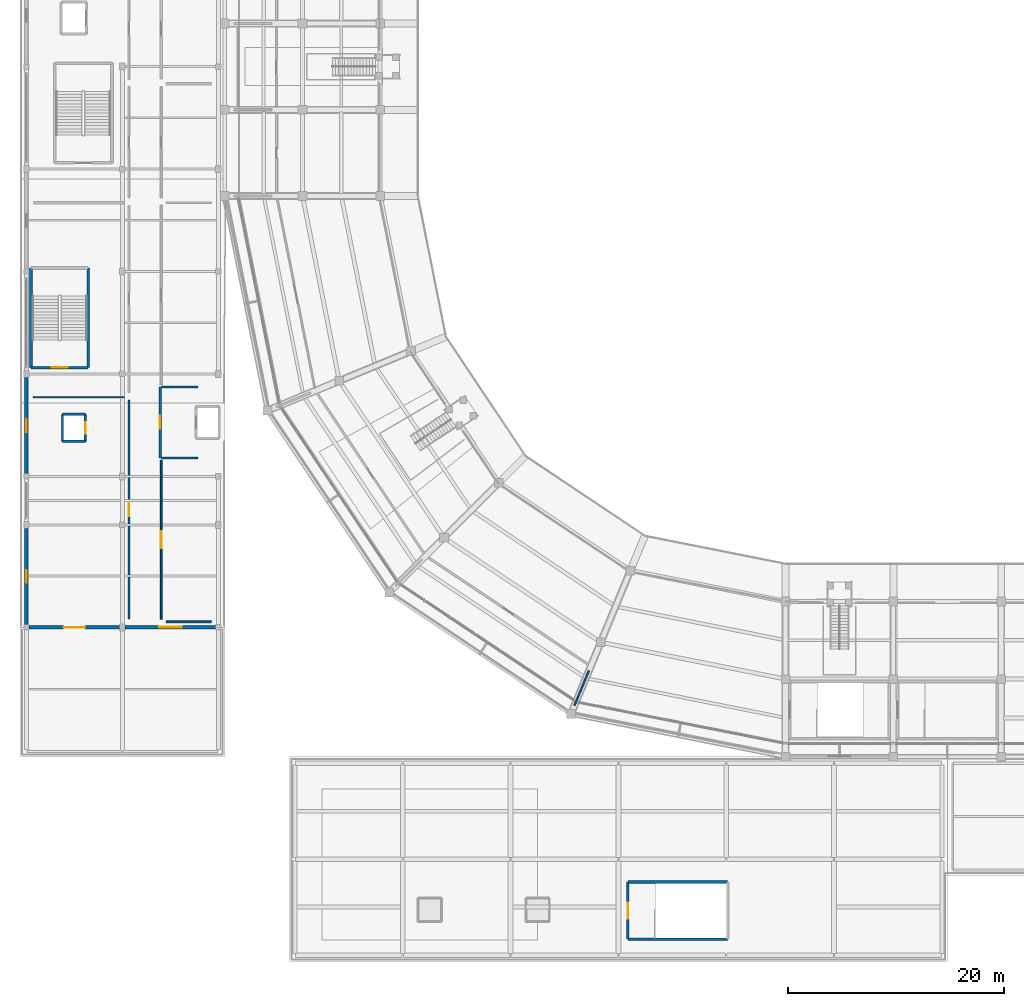
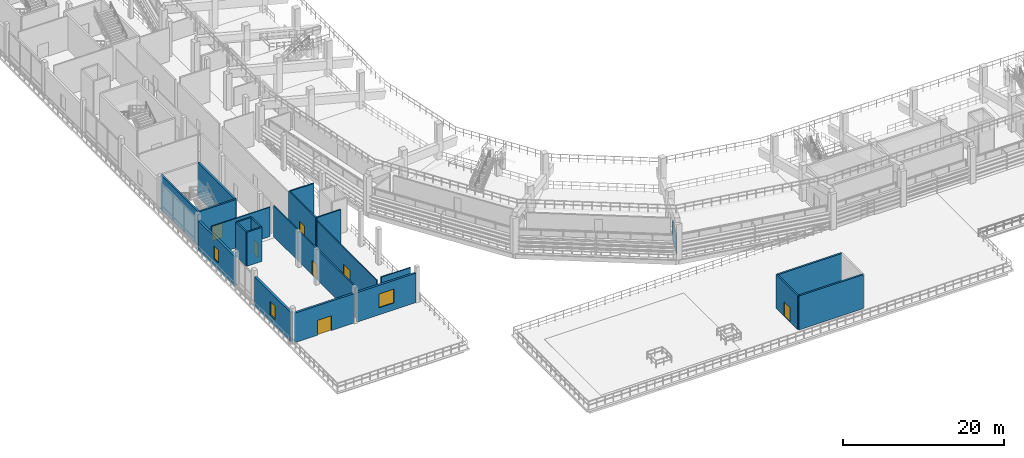
# One storey, part 59 of 96: 22 walls, 7 doors, 3 windows, 10 openings.
"""IFC4 building model written with IfcOpenShell, lengths in metres."""

from ifc_helpers import new_model, si_unit, direction, frame, frame_2d, origin, place, context, subcontext, project, spatial, rectangle, extrude, material, layer, layer_set, type_object, element, fill, save


model = new_model("IFC4")

# Units and contexts
model_context = context("Model", 3, precision=1e-05, world=origin(), true_north=direction((0.0, 1.0)))
body_context = subcontext(model_context, "Body", "Model", "MODEL_VIEW")
ifc_project = project(units=[si_unit("LENGTHUNIT", "METRE"), si_unit("AREAUNIT", "SQUARE_METRE"), si_unit("VOLUMEUNIT", "CUBIC_METRE"), si_unit("PLANEANGLEUNIT", "RADIAN"), si_unit("MASSUNIT", "GRAM", prefix="KILO")], contexts=[model_context])

# Site, building, storey
site_placement = place(None, origin())
site = spatial("IfcSite", under=ifc_project, at=site_placement, CompositionType="ELEMENT")
building_placement = place(site_placement, origin())
building = spatial("IfcBuilding", under=site, at=building_placement, Name="Candeia Ridge Stadium", CompositionType="ELEMENT")
storey_placement = place(building_placement, frame((0.0, 0.0, 21.60009765625)))
storey = spatial("IfcBuildingStorey", under=building, at=storey_placement, Name="L04", CompositionType="ELEMENT", Elevation=21.60009765625)

# Wall, opening, door
ifc_material_1 = material(Name="Concrete Masonry Blockwork C25/30", Category="masonry")
ifc_layer_1 = layer(ifc_material_1, 0.14990234375, Name="Concrete Masonry Blockwork C25/30", Category="masonry")
ifc_layer_set_1 = layer_set([ifc_layer_1], Name="Concrete Masonry Blockwork C25/30")
wall_type_1 = type_object("IfcWallType", Name="Concourse Kiosk Partition 150", PredefinedType="PARTITIONING", material=ifc_layer_set_1)
wall_1_placement = place(storey_placement, frame((13.10009765625, 31.75, 0.0), z_axis=(0.0, 0.0, 1.0), x_axis=(0.0, 1.0, 0.0)))
wall_1 = element("IfcWall", 1, at=wall_1_placement, inside=storey, type_object=wall_type_1, Name="Interior partition PT-L04-0625", PredefinedType="PARTITIONING", context=body_context, shape_type="SweptSolid", body=[
    extrude(rectangle(XDim=14.760009765625, YDim=0.14990234375, at=frame_2d((7.3798828125, 0.0))), origin(), (0.0, 0.0, 1.0), 4.64599609375),
])
opening_1_placement = place(wall_1_placement, frame((6.60498046875, 0.0, 0.0)))
opening_1 = element("IfcOpeningElement", 2, at=opening_1_placement, cuts=wall_1, Name="Opening ID14", PredefinedType="OPENING", context=body_context, shape_type="SweptSolid", body=[
    extrude(rectangle(XDim=1.550048828125, YDim=2.14990234375, at=frame_2d((0.77490234375, 1.074951171875))), frame((0.0, 0.0849609375, 0.0), z_axis=(0.0, -1.0, 0.0), x_axis=(1.0, 0.0, 0.0)), (0.0, 0.0, 1.0), 0.169921875),
])
ifc_material_2 = material(Name="Brushed Stainless Steel", Category="steel")
door_type_1 = type_object("IfcDoorType", Name="Catering Kitchen Double Door 1550x2150", OperationType="NOTDEFINED", PredefinedType="DOOR", material=ifc_material_2)
door_1_placement = place(opening_1_placement, origin())
door_1 = element("IfcDoor", 3, at=door_1_placement, inside=storey, type_object=door_type_1, Name="Interior room door D-L04-0321", OperationType="DOUBLE_DOOR_SINGLE_SWING", OverallHeight=2.14990234375, OverallWidth=1.550048828125, PredefinedType="DOOR", context=body_context, shape_type="SweptSolid", body=[
    extrude(rectangle(XDim=1.550048828125, YDim=2.14990234375, at=frame_2d((0.77490234375, 1.074951171875))), frame((0.0, 0.02490234375, 0.0), z_axis=(0.0, -1.0, 0.0), x_axis=(1.0, 0.0, 0.0)), (0.0, 0.0, 1.0), 0.050048828125),
])
fill(opening_1, door_1)

# Walls
wall_2_placement = place(storey_placement, frame((52.76513671875, 26.977294921875, 0.0), z_axis=(0.0, 0.0, 1.0), x_axis=(-0.382643374349, -0.923896124067, 0.0)))
element("IfcWall", 4, at=wall_2_placement, inside=storey, type_object=wall_type_1, Name="Demising partition PT-L04-0657", PredefinedType="PARTITIONING", context=body_context, shape_type="SweptSolid", body=[
    extrude(rectangle(XDim=3.500244140625, YDim=0.14990234375, at=frame_2d((1.75, 0.0))), origin(), (0.0, 0.0, 1.0), 2.772216796875),
])
ifc_material_3 = material(Name="Concrete C40/50", Category="concrete")
ifc_layer_2 = layer(ifc_material_3, 0.25, Name="Concrete C40/50", Category="concrete")
ifc_layer_set_2 = layer_set([ifc_layer_2], Name="Concrete C40/50")
wall_type_2 = type_object("IfcWallType", Name="Core Shear Wall Concrete 250", PredefinedType="SHEAR", material=ifc_layer_set_2)
for number, where, z_axis, x_axis, name in (
    (5, (6.32470703125, 55.075439453125, 0.0), (0.0, 0.0, 1.0), (0.0, 1.0, 0.0), "Core C05 left shear wall L04"),
    (6, (1.025390625, 64.32470703125, 0.0), (0.0, 0.0, 1.0), (0.0, -1.0, 0.0), "Core C05 right shear wall L04"),
):
    element("IfcWall", number, at=place(storey_placement, frame(where, z_axis=z_axis, x_axis=x_axis)), inside=storey, type_object=wall_type_2, Name=name, PredefinedType="SHEAR", context=body_context, shape_type="SweptSolid", body=[
        extrude(rectangle(XDim=9.249267578125, YDim=0.25, at=frame_2d((4.62451171875, 0.0))), origin(), (0.0, 0.0, 1.0), 5.14990234375),
    ])

# Wall, opening, door
wall_3_placement = place(storey_placement, frame((1.025390625, 55.075439453125, 0.0), z_axis=(0.0, 0.0, 1.0), x_axis=(1.0, 0.0, 0.0)))
wall_3 = element("IfcWall", 7, at=wall_3_placement, inside=storey, type_object=wall_type_2, Name="Core C05 near shear wall L04", PredefinedType="SHEAR", context=body_context, shape_type="SweptSolid", body=[
    extrude(rectangle(XDim=5.29931640625, YDim=0.25, at=frame_2d((2.649658203125, 0.0))), origin(), (0.0, 0.0, 1.0), 5.14990234375),
])
opening_2_placement = place(wall_3_placement, frame((1.899658203125, 0.0, 0.0)))
opening_2 = element("IfcOpeningElement", 8, at=opening_2_placement, cuts=wall_3, Name="Opening FD01", PredefinedType="OPENING", context=body_context, shape_type="SweptSolid", body=[
    extrude(rectangle(XDim=1.5, YDim=2.199951171875, at=frame_2d((0.75, 1.10009765625))), frame((0.0, 0.135009765625, 0.0), z_axis=(0.0, -1.0, 0.0), x_axis=(1.0, 0.0, 0.0)), (0.0, 0.0, 1.0), 0.27001953125),
])
ifc_material_4 = material(Name="Galvanized Fire-Rated Steel", Category="steel")
door_type_2 = type_object("IfcDoorType", Name="Exit Stair Core Fire Door 1500x2200", OperationType="NOTDEFINED", PredefinedType="DOOR", material=ifc_material_4)
door_2_placement = place(opening_2_placement, origin())
door_2 = element("IfcDoor", 9, at=door_2_placement, inside=storey, type_object=door_type_2, Name="Exit stair fire door SD-ST05-L04", OperationType="DOUBLE_DOOR_SINGLE_SWING", OverallHeight=2.199951171875, OverallWidth=1.5, PredefinedType="DOOR", context=body_context, shape_type="SweptSolid", body=[
    extrude(rectangle(XDim=1.5, YDim=2.199951171875, at=frame_2d((0.75, 1.10009765625))), frame((0.0, 0.02490234375, 0.0), z_axis=(0.0, -1.0, 0.0), x_axis=(1.0, 0.0, 0.0)), (0.0, 0.0, 1.0), 0.050048828125),
])
fill(opening_2, door_2)

# Walls
for number, where, z_axis, x_axis, name in (
    (10, (56.37548828125, 2.075439453125, 0.0), (0.0, 0.0, 1.0), (1.0, 0.0, 0.0), "Core C13 left shear wall L04"),
    (11, (65.62451171875, 7.37451171875, 0.0), (0.0, 0.0, 1.0), (-1.0, 0.0, 0.0), "Core C13 right shear wall L04"),
):
    element("IfcWall", number, at=place(storey_placement, frame(where, z_axis=z_axis, x_axis=x_axis)), inside=storey, type_object=wall_type_2, Name=name, PredefinedType="SHEAR", context=body_context, shape_type="SweptSolid", body=[
        extrude(rectangle(XDim=9.2490234375, YDim=0.25, at=frame_2d((4.62451171875, 0.0))), origin(), (0.0, 0.0, 1.0), 5.14990234375),
    ])

# Wall, opening, door
wall_4_placement = place(storey_placement, frame((56.37548828125, 7.37451171875, 0.0), z_axis=(0.0, 0.0, 1.0), x_axis=(0.0, -1.0, 0.0)))
wall_4 = element("IfcWall", 12, at=wall_4_placement, inside=storey, type_object=wall_type_2, Name="Core C13 near shear wall L04", PredefinedType="SHEAR", context=body_context, shape_type="SweptSolid", body=[
    extrude(rectangle(XDim=5.299072265625, YDim=0.25, at=frame_2d((2.6494140625, 0.0))), origin(), (0.0, 0.0, 1.0), 5.14990234375),
])
opening_3_placement = place(wall_4_placement, frame((1.899658203125, 0.0, 0.0)))
opening_3 = element("IfcOpeningElement", 13, at=opening_3_placement, cuts=wall_4, Name="Opening FD01", PredefinedType="OPENING", context=body_context, shape_type="SweptSolid", body=[
    extrude(rectangle(XDim=1.5, YDim=2.199951171875, at=frame_2d((0.75, 1.10009765625))), frame((0.0, 0.135009765625, 0.0), z_axis=(0.0, -1.0, 0.0), x_axis=(1.0, 0.0, 0.0)), (0.0, 0.0, 1.0), 0.27001953125),
])
door_3_placement = place(opening_3_placement, origin())
door_3 = element("IfcDoor", 14, at=door_3_placement, inside=storey, type_object=door_type_2, Name="Exit stair fire door SD-ST13-L04", OperationType="DOUBLE_DOOR_SINGLE_SWING", OverallHeight=2.199951171875, OverallWidth=1.5, PredefinedType="DOOR", context=body_context, shape_type="SweptSolid", body=[
    extrude(rectangle(XDim=1.5, YDim=2.199951171875, at=frame_2d((0.75, 1.10009765625))), frame((0.0, 0.02490234375, 0.0), z_axis=(0.0, -1.0, 0.0), x_axis=(1.0, 0.0, 0.0)), (0.0, 0.0, 1.0), 0.050048828125),
])
fill(opening_3, door_3)

ifc_material_5 = material(Name="Gypsum Acoustic Twin-Stud Assembly", Category="gypsum")
ifc_layer_3 = layer(ifc_material_5, 0.179931640625, Name="Gypsum Acoustic Twin-Stud Assembly", Category="gypsum")
ifc_layer_set_3 = layer_set([ifc_layer_3], Name="Gypsum Acoustic Twin-Stud Assembly")
wall_type_3 = type_object("IfcWallType", Name="Corridor Fire Partition 180", PredefinedType="PARTITIONING", material=ifc_layer_set_3)
wall_5_placement = place(storey_placement, frame((10.10009765625, 52.091064453125, 0.0), z_axis=(0.0, 0.0, 1.0), x_axis=(0.0, -1.0, 0.0)))
wall_5 = element("IfcWall", 15, at=wall_5_placement, inside=storey, type_object=wall_type_3, Name="Interior partition PT-L04-0623", PredefinedType="PARTITIONING", context=body_context, shape_type="SweptSolid", body=[
    extrude(rectangle(XDim=20.341064453125, YDim=0.179931640625, at=frame_2d((10.17041015625, 0.0))), origin(), (0.0, 0.0, 1.0), 4.64599609375),
])
opening_4_placement = place(wall_5_placement, frame((9.54541015625, 0.0, 0.0)))
opening_4 = element("IfcOpeningElement", 16, at=opening_4_placement, cuts=wall_5, Name="Opening ID11", PredefinedType="OPENING", context=body_context, shape_type="SweptSolid", body=[
    extrude(rectangle(XDim=1.25, YDim=2.199951171875, at=frame_2d((0.625, 1.10009765625))), frame((0.0, 0.099853515625, 0.0), z_axis=(0.0, -1.0, 0.0), x_axis=(1.0, 0.0, 0.0)), (0.0, 0.0, 1.0), 0.199951171875),
])
ifc_material_6 = material(Name="Acoustic Timber Studio Leaf", Category="wood")
door_type_3 = type_object("IfcDoorType", Name="Press Tribune Acoustic Door 1250x2200", OperationType="NOTDEFINED", PredefinedType="DOOR", material=ifc_material_6)
door_4_placement = place(opening_4_placement, frame((1.25, 0.0, 0.0), z_axis=(0.0, 0.0, 1.0), x_axis=(-1.0, 0.0, 0.0)))
door_4 = element("IfcDoor", 17, at=door_4_placement, inside=storey, type_object=door_type_3, Name="Interior room door D-L04-0320", OperationType="SINGLE_SWING_RIGHT", OverallHeight=2.199951171875, OverallWidth=1.25, PredefinedType="DOOR", context=body_context, shape_type="SweptSolid", body=[
    extrude(rectangle(XDim=1.25, YDim=2.199951171875, at=frame_2d((0.625, 1.10009765625))), frame((0.0, 0.02490234375, 0.0), z_axis=(0.0, -1.0, 0.0), x_axis=(1.0, 0.0, 0.0)), (0.0, 0.0, 1.0), 0.050048828125),
])
fill(opening_4, door_4)

# Wall
wall_6_placement = place(storey_placement, frame((17.75, 31.5, 0.0), z_axis=(0.0, 0.0, 1.0), x_axis=(-1.0, 0.0, 0.0)))
element("IfcWall", 18, at=wall_6_placement, inside=storey, type_object=wall_type_3, Name="Demising partition PT-L04-0626", PredefinedType="PARTITIONING", context=body_context, shape_type="SweptSolid", body=[
    extrude(rectangle(XDim=4.199951171875, YDim=0.179931640625, at=frame_2d((2.10009765625, 0.0))), origin(), (0.0, 0.0, 1.0), 5.119873046875),
])

# Wall, opening, window
ifc_material_7 = material(Name="Concrete C35/45", Category="concrete")
ifc_layer_4 = layer(ifc_material_7, 0.320068359375, Name="Concrete C35/45", Category="concrete")
ifc_layer_set_4 = layer_set([ifc_layer_4], Name="Concrete C35/45")
wall_type_4 = type_object("IfcWallType", Name="Exterior Cedar-Clad Insulated Wall 320", PredefinedType="SOLIDWALL", material=ifc_layer_set_4)
wall_7_placement = place(storey_placement, frame((0.60009765625, 31.238037109375, 0.0), z_axis=(0.0, 0.0, 1.0), x_axis=(0.0, 1.0, 0.0)))
wall_7 = element("IfcWall", 19, at=wall_7_placement, inside=storey, type_object=wall_type_4, Name="Exterior facade wall EW-L04-0099", PredefinedType="SOLIDWALL", context=body_context, shape_type="SweptSolid", body=[
    extrude(rectangle(XDim=8.948974609375, YDim=0.320068359375, at=frame_2d((4.474609375, 0.0))), origin(), (0.0, 0.0, 1.0), 4.46484375),
])
opening_5_placement = place(wall_7_placement, frame((3.87451171875, 0.0, 1.050048828125)))
opening_5 = element("IfcOpeningElement", 20, at=opening_5_placement, cuts=wall_7, Name="Opening W16", PredefinedType="OPENING", context=body_context, shape_type="SweptSolid", body=[
    extrude(rectangle(XDim=1.199951171875, YDim=2.0, at=frame_2d((0.60009765625, 1.0))), frame((0.0, 0.169921875, 0.0), z_axis=(0.0, -1.0, 0.0), x_axis=(1.0, 0.0, 0.0)), (0.0, 0.0, 1.0), 0.340087890625),
])
ifc_material_8 = material(Name="Tempered Solar-Control Double Glazing", Category="glass")
window_type_1 = type_object("IfcWindowType", Name="Stair Core Daylight Window 1200x2000", PartitioningType="SINGLE_PANEL", PredefinedType="WINDOW", material=ifc_material_8)
window_1_placement = place(opening_5_placement, origin())
window_1 = element("IfcWindow", 21, at=window_1_placement, inside=storey, type_object=window_type_1, Name="Exterior window WIN-L04-052", OverallHeight=2.0, OverallWidth=1.199951171875, PartitioningType="SINGLE_PANEL", PredefinedType="WINDOW", context=body_context, shape_type="SweptSolid", body=[
    extrude(rectangle(XDim=1.199951171875, YDim=2.0, at=frame_2d((0.60009765625, 1.0))), frame((0.0, 0.030029296875, 0.0), z_axis=(0.0, -1.0, 0.0), x_axis=(1.0, 0.0, 0.0)), (0.0, 0.0, 1.0), 0.06005859375),
])
fill(opening_5, window_1)

wall_8_placement = place(storey_placement, frame((0.60009765625, 45.238037109375, 0.0), z_axis=(0.0, 0.0, 1.0), x_axis=(0.0, 1.0, 0.0)))
wall_8 = element("IfcWall", 22, at=wall_8_placement, inside=storey, type_object=wall_type_4, Name="Exterior facade wall EW-L04-0100", PredefinedType="SOLIDWALL", context=body_context, shape_type="SweptSolid", body=[
    extrude(rectangle(XDim=8.948974609375, YDim=0.320068359375, at=frame_2d((4.474609375, 0.0))), origin(), (0.0, 0.0, 1.0), 4.46484375),
])
opening_6_placement = place(wall_8_placement, frame((3.87451171875, 0.0, 1.050048828125)))
opening_6 = element("IfcOpeningElement", 23, at=opening_6_placement, cuts=wall_8, Name="Opening W16", PredefinedType="OPENING", context=body_context, shape_type="SweptSolid", body=[
    extrude(rectangle(XDim=1.199951171875, YDim=2.0, at=frame_2d((0.60009765625, 1.0))), frame((0.0, 0.169921875, 0.0), z_axis=(0.0, -1.0, 0.0), x_axis=(1.0, 0.0, 0.0)), (0.0, 0.0, 1.0), 0.340087890625),
])
window_2_placement = place(opening_6_placement, origin())
window_2 = element("IfcWindow", 24, at=window_2_placement, inside=storey, type_object=window_type_1, Name="Exterior window WIN-L04-053", OverallHeight=2.0, OverallWidth=1.199951171875, PartitioningType="SINGLE_PANEL", PredefinedType="WINDOW", context=body_context, shape_type="SweptSolid", body=[
    extrude(rectangle(XDim=1.199951171875, YDim=2.0, at=frame_2d((0.60009765625, 1.0))), frame((0.0, 0.030029296875, 0.0), z_axis=(0.0, -1.0, 0.0), x_axis=(1.0, 0.0, 0.0)), (0.0, 0.0, 1.0), 0.06005859375),
])
fill(opening_6, window_2)

# Wall, opening, door
ifc_layer_5 = layer(ifc_material_7, 0.300048828125, Name="Concrete C35/45", Category="concrete")
ifc_layer_set_5 = layer_set([ifc_layer_5], Name="Concrete C35/45")
wall_type_5 = type_object("IfcWallType", Name="Exterior Pavilion Rainscreen Wall 300", PredefinedType="SOLIDWALL", material=ifc_layer_set_5)
wall_9_placement = place(storey_placement, frame((0.837890625, 31.0, 0.0), z_axis=(0.0, 0.0, 1.0), x_axis=(1.0, 0.0, 0.0)))
wall_9 = element("IfcWall", 25, at=wall_9_placement, inside=storey, type_object=wall_type_5, Name="Exterior facade wall EW-L04-0106", PredefinedType="SOLIDWALL", context=body_context, shape_type="SweptSolid", body=[
    extrude(rectangle(XDim=8.424072265625, YDim=0.300048828125, at=frame_2d((4.2119140625, 0.0))), origin(), (0.0, 0.0, 1.0), 4.46484375),
])
opening_7_placement = place(wall_9_placement, frame((3.2119140625, 0.0, 0.0)))
opening_7 = element("IfcOpeningElement", 26, at=opening_7_placement, cuts=wall_9, Name="Opening ED06", PredefinedType="OPENING", context=body_context, shape_type="SweptSolid", body=[
    extrude(rectangle(XDim=2.0, YDim=2.25, at=frame_2d((1.0, 1.125))), frame((0.0, 0.159912109375, 0.0), z_axis=(0.0, -1.0, 0.0), x_axis=(1.0, 0.0, 0.0)), (0.0, 0.0, 1.0), 0.320068359375),
])
ifc_material_9 = material(Name="Aluminium Thermal-Break Glazed Door", Category="aluminium")
door_type_4 = type_object("IfcDoorType", Name="Terrace Lounge Double Door 2000x2250", OperationType="NOTDEFINED", PredefinedType="DOOR", material=ifc_material_9)
door_5_placement = place(opening_7_placement, frame((2.0, 0.0, 0.0), z_axis=(0.0, 0.0, 1.0), x_axis=(-1.0, 0.0, 0.0)))
door_5 = element("IfcDoor", 27, at=door_5_placement, inside=storey, type_object=door_type_4, Name="Exterior entrance door ED-009", OperationType="DOUBLE_DOOR_SINGLE_SWING", OverallHeight=2.25, OverallWidth=2.0, PredefinedType="DOOR", context=body_context, shape_type="SweptSolid", body=[
    extrude(rectangle(XDim=2.0, YDim=2.25, at=frame_2d((1.0, 1.125))), frame((0.0, 0.02490234375, 0.0), z_axis=(0.0, -1.0, 0.0), x_axis=(1.0, 0.0, 0.0)), (0.0, 0.0, 1.0), 0.050048828125),
])
fill(opening_7, door_5)

# Wall, opening, window
wall_10_placement = place(storey_placement, frame((9.738037109375, 31.0, 0.0), z_axis=(0.0, 0.0, 1.0), x_axis=(1.0, 0.0, 0.0)))
wall_10 = element("IfcWall", 28, at=wall_10_placement, inside=storey, type_object=wall_type_5, Name="Exterior facade wall EW-L04-0107", PredefinedType="SOLIDWALL", context=body_context, shape_type="SweptSolid", body=[
    extrude(rectangle(XDim=8.424072265625, YDim=0.300048828125, at=frame_2d((4.2119140625, 0.0))), origin(), (0.0, 0.0, 1.0), 4.46484375),
])
opening_8_placement = place(wall_10_placement, frame((3.162109375, 0.0, 1.050048828125)))
opening_8 = element("IfcOpeningElement", 29, at=opening_8_placement, cuts=wall_10, Name="Opening W04", PredefinedType="OPENING", context=body_context, shape_type="SweptSolid", body=[
    extrude(rectangle(XDim=2.10009765625, YDim=2.10009765625, at=frame_2d((1.050048828125, 1.050048828125))), frame((0.0, 0.159912109375, 0.0), z_axis=(0.0, -1.0, 0.0), x_axis=(1.0, 0.0, 0.0)), (0.0, 0.0, 1.0), 0.320068359375),
])
window_type_2 = type_object("IfcWindowType", Name="Hospitality Ribbon Window 2100x2100", PartitioningType="SINGLE_PANEL", PredefinedType="WINDOW", material=ifc_material_8)
window_3_placement = place(opening_8_placement, origin())
window_3 = element("IfcWindow", 30, at=window_3_placement, inside=storey, type_object=window_type_2, Name="Exterior window WIN-L04-059", OverallHeight=2.10009765625, OverallWidth=2.10009765625, PartitioningType="SINGLE_PANEL", PredefinedType="WINDOW", context=body_context, shape_type="SweptSolid", body=[
    extrude(rectangle(XDim=2.10009765625, YDim=2.10009765625, at=frame_2d((1.050048828125, 1.050048828125))), frame((0.0, 0.030029296875, 0.0), z_axis=(0.0, -1.0, 0.0), x_axis=(1.0, 0.0, 0.0)), (0.0, 0.0, 1.0), 0.06005859375),
])
fill(opening_8, window_3)

# Walls
ifc_layer_6 = layer(ifc_material_7, 0.199951171875, Name="Concrete C35/45", Category="concrete")
ifc_layer_set_6 = layer_set([ifc_layer_6], Name="Concrete C35/45")
wall_type_6 = type_object("IfcWallType", Name="Firefighting Lobby Rated Wall 200", PredefinedType="SOLIDWALL", material=ifc_layer_set_6)
for number, where, z_axis, x_axis, name in (
    (31, (13.10009765625, 46.699951171875, 0.0), (0.0, 0.0, 1.0), (1.0, 0.0, 0.0), "Firefighting lift lobby FF1 rated wall L04 south"),
    (32, (16.5, 53.300048828125, 0.0), (0.0, 0.0, 1.0), (-1.0, 0.0, 0.0), "Firefighting lift lobby FF1 rated wall L04 north"),
):
    element("IfcWall", number, at=place(storey_placement, frame(where, z_axis=z_axis, x_axis=x_axis)), inside=storey, type_object=wall_type_6, Name=name, PredefinedType="SOLIDWALL", context=body_context, shape_type="SweptSolid", body=[
        extrude(rectangle(XDim=3.39990234375, YDim=0.199951171875, at=frame_2d((1.699951171875, 0.0))), origin(), (0.0, 0.0, 1.0), 5.119873046875),
    ])

# Wall, opening, door
wall_11_placement = place(storey_placement, frame((13.0, 53.300048828125, 0.0), z_axis=(0.0, 0.0, 1.0), x_axis=(0.0, -1.0, 0.0)))
wall_11 = element("IfcWall", 33, at=wall_11_placement, inside=storey, type_object=wall_type_6, Name="Firefighting lift lobby FF1 rated wall L04 entry", PredefinedType="SOLIDWALL", context=body_context, shape_type="SweptSolid", body=[
    extrude(rectangle(XDim=6.60009765625, YDim=0.199951171875, at=frame_2d((3.300048828125, 0.0))), origin(), (0.0, 0.0, 1.0), 5.119873046875),
])
opening_9_placement = place(wall_11_placement, frame((2.699951171875, 0.0, 0.0)))
opening_9 = element("IfcOpeningElement", 34, at=opening_9_placement, cuts=wall_11, Name="Opening FD02", PredefinedType="OPENING", context=body_context, shape_type="SweptSolid", body=[
    extrude(rectangle(XDim=1.199951171875, YDim=2.199951171875, at=frame_2d((0.60009765625, 1.10009765625))), frame((0.0, 0.10986328125, 0.0), z_axis=(0.0, -1.0, 0.0), x_axis=(1.0, 0.0, 0.0)), (0.0, 0.0, 1.0), 0.219970703125),
])
door_type_5 = type_object("IfcDoorType", Name="Firefighting Lobby Fire Door 1200x2200", OperationType="NOTDEFINED", PredefinedType="DOOR", material=ifc_material_4)
door_6_placement = place(opening_9_placement, origin())
door_6 = element("IfcDoor", 35, at=door_6_placement, inside=storey, type_object=door_type_5, Name="Firefighting lobby fire door FFD-FF1-L04", OperationType="SINGLE_SWING_LEFT", OverallHeight=2.199951171875, OverallWidth=1.199951171875, PredefinedType="DOOR", context=body_context, shape_type="SweptSolid", body=[
    extrude(rectangle(XDim=1.199951171875, YDim=2.199951171875, at=frame_2d((0.60009765625, 1.10009765625))), frame((0.0, 0.02490234375, 0.0), z_axis=(0.0, -1.0, 0.0), x_axis=(1.0, 0.0, 0.0)), (0.0, 0.0, 1.0), 0.050048828125),
])
fill(opening_9, door_6)

# Wall
ifc_layer_7 = layer(ifc_material_3, 0.219970703125, Name="Concrete C40/50", Category="concrete")
ifc_layer_set_7 = layer_set([ifc_layer_7], Name="Concrete C40/50")
wall_type_7 = type_object("IfcWallType", Name="Lift & Riser Shaft Wall 220", PredefinedType="SHEAR", material=ifc_layer_set_7)
wall_12_placement = place(storey_placement, frame((3.93994140625, 48.239990234375, 0.0), z_axis=(0.0, 0.0, 1.0), x_axis=(1.0, 0.0, 0.0)))
element("IfcWall", 36, at=wall_12_placement, inside=storey, type_object=wall_type_7, Name="Lift VL1 shaft wall L04 south", PredefinedType="SHEAR", context=body_context, shape_type="SweptSolid", body=[
    extrude(rectangle(XDim=2.1201171875, YDim=0.219970703125, at=frame_2d((1.06005859375, 0.0))), origin(), (0.0, 0.0, 1.0), 5.14990234375),
])

# Wall, opening, door
wall_13_placement = place(storey_placement, frame((6.06005859375, 48.239990234375, 0.0), z_axis=(0.0, 0.0, 1.0), x_axis=(0.0, 1.0, 0.0)))
wall_13 = element("IfcWall", 37, at=wall_13_placement, inside=storey, type_object=wall_type_7, Name="Lift VL1 shaft wall L04 east", PredefinedType="SHEAR", context=body_context, shape_type="SweptSolid", body=[
    extrude(rectangle(XDim=2.52001953125, YDim=0.219970703125, at=frame_2d((1.260009765625, 0.0))), origin(), (0.0, 0.0, 1.0), 5.14990234375),
])
opening_10_placement = place(wall_13_placement, frame((0.735107421875, 0.0, 0.0)))
opening_10 = element("IfcOpeningElement", 38, at=opening_10_placement, cuts=wall_13, Name="Opening LD02", PredefinedType="OPENING", context=body_context, shape_type="SweptSolid", body=[
    extrude(rectangle(XDim=1.050048828125, YDim=2.14990234375, at=frame_2d((0.52490234375, 1.074951171875))), frame((0.0, 0.119873046875, 0.0), z_axis=(0.0, -1.0, 0.0), x_axis=(1.0, 0.0, 0.0)), (0.0, 0.0, 1.0), 0.239990234375),
])
door_type_6 = type_object("IfcDoorType", Name="Passenger Lift Landing Door 1050x2150", OperationType="NOTDEFINED", PredefinedType="DOOR", material=ifc_material_2)
door_7_placement = place(opening_10_placement, origin())
door_7 = element("IfcDoor", 39, at=door_7_placement, inside=storey, type_object=door_type_6, Name="Lift landing sliding door LD-VL1-L04", OperationType="DOUBLE_DOOR_SLIDING", OverallHeight=2.14990234375, OverallWidth=1.050048828125, PredefinedType="DOOR", context=body_context, shape_type="SweptSolid", body=[
    extrude(rectangle(XDim=1.050048828125, YDim=2.14990234375, at=frame_2d((0.52490234375, 1.074951171875))), frame((0.0, 0.02490234375, 0.0), z_axis=(0.0, -1.0, 0.0), x_axis=(1.0, 0.0, 0.0)), (0.0, 0.0, 1.0), 0.050048828125),
])
fill(opening_10, door_7)

# Walls
wall_14_placement = place(storey_placement, frame((6.06005859375, 50.760009765625, 0.0), z_axis=(0.0, 0.0, 1.0), x_axis=(-1.0, 0.0, 0.0)))
element("IfcWall", 40, at=wall_14_placement, inside=storey, type_object=wall_type_7, Name="Lift VL1 shaft wall L04 north", PredefinedType="SHEAR", context=body_context, shape_type="SweptSolid", body=[
    extrude(rectangle(XDim=2.1201171875, YDim=0.219970703125, at=frame_2d((1.06005859375, 0.0))), origin(), (0.0, 0.0, 1.0), 5.14990234375),
])
wall_15_placement = place(storey_placement, frame((3.93994140625, 50.760009765625, 0.0), z_axis=(0.0, 0.0, 1.0), x_axis=(0.0, -1.0, 0.0)))
element("IfcWall", 41, at=wall_15_placement, inside=storey, type_object=wall_type_7, Name="Lift VL1 shaft wall L04 west", PredefinedType="SHEAR", context=body_context, shape_type="SweptSolid", body=[
    extrude(rectangle(XDim=2.52001953125, YDim=0.219970703125, at=frame_2d((1.260009765625, 0.0))), origin(), (0.0, 0.0, 1.0), 5.14990234375),
])
ifc_material_10 = material(Name="Gypsum Metal-Stud Partition", Category="gypsum")
ifc_layer_8 = layer(ifc_material_10, 0.1298828125, Name="Gypsum Metal-Stud Partition", Category="gypsum")
ifc_layer_set_8 = layer_set([ifc_layer_8], Name="Gypsum Metal-Stud Partition")
wall_type_8 = type_object("IfcWallType", Name="Ticketing Back-Office Partition 130", PredefinedType="PARTITIONING", material=ifc_layer_set_8)
wall_16_placement = place(storey_placement, frame((1.25, 52.341064453125, 0.0), z_axis=(0.0, 0.0, 1.0), x_axis=(1.0, 0.0, 0.0)))
element("IfcWall", 42, at=wall_16_placement, inside=storey, type_object=wall_type_8, Name="Demising partition PT-L04-0624", PredefinedType="PARTITIONING", context=body_context, shape_type="SweptSolid", body=[
    extrude(rectangle(XDim=8.39990234375, YDim=0.1298828125, at=frame_2d((4.199951171875, 0.0))), origin(), (0.0, 0.0, 1.0), 4.46484375),
])

save(model, "model.ifc")
